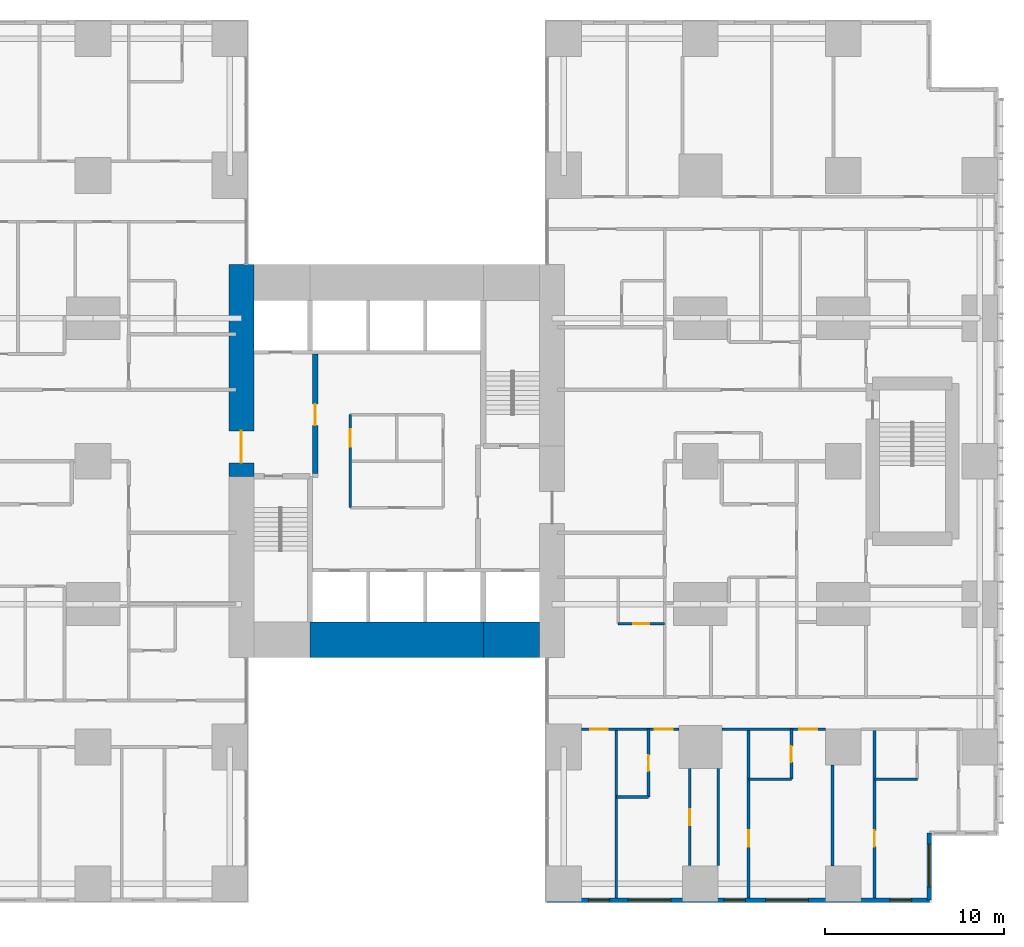
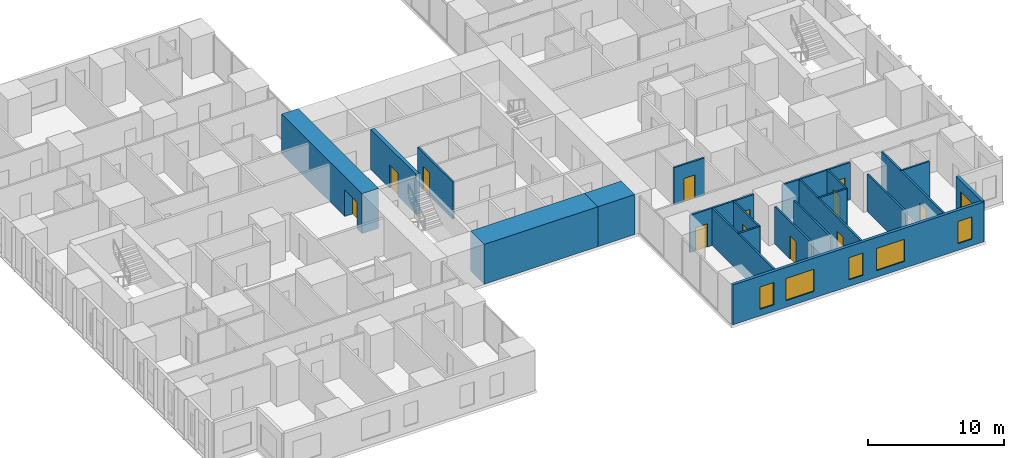
# One storey, part 14 of 20: 21 walls, 12 doors, 6 windows, 18 openings.
"""IFC4 building model written with IfcOpenShell, lengths in metres."""

from ifc_helpers import new_model, si_unit, direction, frame, frame_2d, origin, place, context, subcontext, project, spatial, rectangle, extrude, material, layer, layer_set, type_object, element, fill, save


model = new_model("IFC4")

# Units and contexts
model_context = context("Model", 3, precision=1e-05, world=origin(), true_north=direction((0.0, 1.0)))
body_context = subcontext(model_context, "Body", "Model", "MODEL_VIEW")
ifc_project = project(units=[si_unit("LENGTHUNIT", "METRE"), si_unit("AREAUNIT", "SQUARE_METRE"), si_unit("VOLUMEUNIT", "CUBIC_METRE"), si_unit("PLANEANGLEUNIT", "RADIAN"), si_unit("MASSUNIT", "GRAM", prefix="KILO")], contexts=[model_context])

# Site, building, storey
site_placement = place(None, origin())
site = spatial("IfcSite", under=ifc_project, at=site_placement, CompositionType="ELEMENT")
building_placement = place(site_placement, origin())
building = spatial("IfcBuilding", under=site, at=building_placement, Name="Cleftline Residences", CompositionType="ELEMENT")
storey_placement = place(building_placement, frame((0.0, 0.0, 47.60009765625)))
storey = spatial("IfcBuildingStorey", under=building, at=storey_placement, Name="L11", CompositionType="ELEMENT", Elevation=47.60009765625)

# Wall, opening, door
ifc_material_1 = material(Name="Concrete B70", Category="concrete")
ifc_layer_1 = layer(ifc_material_1, 1.39990234375)
ifc_layer_set_1 = layer_set([ifc_layer_1], Name="CORE WALL 1400")
wall_type_1 = type_object("IfcWallType", Name="CORE WALL 1400", PredefinedType="SHEAR", material=ifc_layer_set_1)
wall_1_placement = place(storey_placement, frame((24.300048828125, 23.14990234375, 0.0), z_axis=(0.0, 0.0, 1.0), x_axis=(0.0, 1.0, 0.0)))
wall_1 = element("IfcWall", 1, at=wall_1_placement, inside=storey, type_object=wall_type_1, Name="Core wall W", PredefinedType="SHEAR", context=body_context, shape_type="SweptSolid", body=[
    extrude(rectangle(XDim=11.85009765625, YDim=1.39990234375, at=frame_2d((5.925048828125, 0.0))), origin(), (0.0, 0.0, 1.0), 3.599853515625),
])
opening_1_placement = place(wall_1_placement, frame((0.75, 0.0, 0.0)))
opening_1 = element("IfcOpeningElement", 2, at=opening_1_placement, cuts=wall_1, Name="Opening D7", PredefinedType="OPENING", context=body_context, shape_type="SweptSolid", body=[
    extrude(rectangle(XDim=1.800048828125, YDim=2.39990234375, at=frame_2d((0.89990234375, 1.199951171875))), frame((0.0, 0.7099609375, 0.0), z_axis=(0.0, -1.0, 0.0), x_axis=(1.0, 0.0, 0.0)), (0.0, 0.0, 1.0), 1.419921875),
])
ifc_material_2 = material(Name="Steel", Category="steel")
door_type_1 = type_object("IfcDoorType", Name="WING DOOR 1800X2400", OperationType="DOUBLE_DOOR_DOUBLE_SWING", PredefinedType="DOOR", material=ifc_material_2)
door_1_placement = place(opening_1_placement, origin())
door_1 = element("IfcDoor", 3, at=door_1_placement, inside=storey, type_object=door_type_1, Name="West wing door", OperationType="DOUBLE_DOOR_DOUBLE_SWING", OverallHeight=2.39990234375, OverallWidth=1.800048828125, PredefinedType="DOOR", context=body_context, shape_type="SweptSolid", body=[
    extrude(rectangle(XDim=1.800048828125, YDim=2.39990234375, at=frame_2d((0.89990234375, 1.199951171875))), frame((0.0, 0.02490234375, 0.0), z_axis=(0.0, -1.0, 0.0), x_axis=(1.0, 0.0, 0.0)), (0.0, 0.0, 1.0), 0.050048828125),
])
fill(opening_1, door_1)

# Walls
ifc_material_3 = material(Name="Concrete B70", Category="concrete")
ifc_layer_2 = layer(ifc_material_3, 2.0)
ifc_layer_set_2 = layer_set([ifc_layer_2], Name="CORE WALL 2000")
wall_type_2 = type_object("IfcWallType", Name="CORE WALL 2000", PredefinedType="SHEAR", material=ifc_layer_set_2)
wall_2_placement = place(storey_placement, frame((28.14990234375, 14.0, 0.0), z_axis=(0.0, 0.0, 1.0), x_axis=(1.0, 0.0, 0.0)))
element("IfcWall", 4, at=wall_2_placement, inside=storey, type_object=wall_type_2, Name="Core wall S2", PredefinedType="SHEAR", context=body_context, shape_type="SweptSolid", body=[
    extrude(rectangle(XDim=9.7001953125, YDim=2.0, at=frame_2d((4.85009765625, 0.0))), origin(), (0.0, 0.0, 1.0), 3.599853515625),
])
wall_3_placement = place(storey_placement, frame((37.85009765625, 14.0, 0.0), z_axis=(0.0, 0.0, 1.0), x_axis=(1.0, 0.0, 0.0)))
element("IfcWall", 5, at=wall_3_placement, inside=storey, type_object=wall_type_2, Name="Core wall S3", PredefinedType="SHEAR", context=body_context, shape_type="SweptSolid", body=[
    extrude(rectangle(XDim=3.14990234375, YDim=2.0, at=frame_2d((1.574951171875, 0.0))), origin(), (0.0, 0.0, 1.0), 3.599853515625),
])

# Wall, openings, windows
ifc_material_4 = material(Name="Rendered reinforced concrete blockwork", Category="masonry")
ifc_layer_3 = layer(ifc_material_4, 0.25)
ifc_layer_set_3 = layer_set([ifc_layer_3], Name="EXTERNAL WALL 250")
wall_type_3 = type_object("IfcWallType", Name="EXTERNAL WALL 250", PredefinedType="SOLIDWALL", material=ifc_layer_set_3)
wall_4_placement = place(storey_placement, frame((41.425048828125, -0.574951171875, 0.0), z_axis=(0.0, 0.0, 1.0), x_axis=(1.0, 0.0, 0.0)))
wall_4 = element("IfcWall", 6, at=wall_4_placement, inside=storey, type_object=wall_type_3, Name="External wall", PredefinedType="SOLIDWALL", context=body_context, shape_type="SweptSolid", body=[
    extrude(rectangle(XDim=21.39990234375, YDim=0.25, at=frame_2d((10.699951171875, 0.0))), origin(), (0.0, 0.0, 1.0), 3.599853515625),
])
opening_2_placement = place(wall_4_placement, frame((2.300048828125, 0.0, 0.60009765625)))
opening_2 = element("IfcOpeningElement", 7, at=opening_2_placement, cuts=wall_4, Name="Opening W8", PredefinedType="OPENING", context=body_context, shape_type="SweptSolid", body=[
    extrude(rectangle(XDim=1.199951171875, YDim=2.0, at=frame_2d((0.60009765625, 1.0))), frame((0.0, 0.135009765625, 0.0), z_axis=(0.0, -1.0, 0.0), x_axis=(1.0, 0.0, 0.0)), (0.0, 0.0, 1.0), 0.27001953125),
])
opening_3_placement = place(wall_4_placement, frame((4.52490234375, 0.0, 0.60009765625)))
opening_3 = element("IfcOpeningElement", 8, at=opening_3_placement, cuts=wall_4, Name="Opening W6", PredefinedType="OPENING", context=body_context, shape_type="SweptSolid", body=[
    extrude(rectangle(XDim=2.39990234375, YDim=2.0, at=frame_2d((1.199951171875, 1.0))), frame((0.0, 0.135009765625, 0.0), z_axis=(0.0, -1.0, 0.0), x_axis=(1.0, 0.0, 0.0)), (0.0, 0.0, 1.0), 0.27001953125),
])
opening_4_placement = place(wall_4_placement, frame((9.89990234375, 0.0, 0.60009765625)))
opening_4 = element("IfcOpeningElement", 9, at=opening_4_placement, cuts=wall_4, Name="Opening W8", PredefinedType="OPENING", context=body_context, shape_type="SweptSolid", body=[
    extrude(rectangle(XDim=1.199951171875, YDim=2.0, at=frame_2d((0.60009765625, 1.0))), frame((0.0, 0.135009765625, 0.0), z_axis=(0.0, -1.0, 0.0), x_axis=(1.0, 0.0, 0.0)), (0.0, 0.0, 1.0), 0.27001953125),
])
opening_5_placement = place(wall_4_placement, frame((12.22509765625, 0.0, 0.60009765625)))
opening_5 = element("IfcOpeningElement", 10, at=opening_5_placement, cuts=wall_4, Name="Opening W6", PredefinedType="OPENING", context=body_context, shape_type="SweptSolid", body=[
    extrude(rectangle(XDim=2.39990234375, YDim=2.0, at=frame_2d((1.199951171875, 1.0))), frame((0.0, 0.135009765625, 0.0), z_axis=(0.0, -1.0, 0.0), x_axis=(1.0, 0.0, 0.0)), (0.0, 0.0, 1.0), 0.27001953125),
])
opening_6_placement = place(wall_4_placement, frame((19.199951171875, 0.0, 0.60009765625)))
opening_6 = element("IfcOpeningElement", 11, at=opening_6_placement, cuts=wall_4, Name="Opening W8", PredefinedType="OPENING", context=body_context, shape_type="SweptSolid", body=[
    extrude(rectangle(XDim=1.199951171875, YDim=2.0, at=frame_2d((0.60009765625, 1.0))), frame((0.0, 0.135009765625, 0.0), z_axis=(0.0, -1.0, 0.0), x_axis=(1.0, 0.0, 0.0)), (0.0, 0.0, 1.0), 0.27001953125),
])
ifc_material_5 = material(Name="Aluminium frame, clear double glazing", Category="aluminium")
window_type_1 = type_object("IfcWindowType", Name="WINDOW 1200X2000", PartitioningType="DOUBLE_PANEL_VERTICAL", PredefinedType="WINDOW", material=ifc_material_5)
window_1_placement = place(opening_2_placement, origin())
window_1 = element("IfcWindow", 12, at=window_1_placement, inside=storey, type_object=window_type_1, Name="Window", OverallHeight=2.0, OverallWidth=1.199951171875, PartitioningType="SINGLE_PANEL", PredefinedType="WINDOW", context=body_context, shape_type="SweptSolid", body=[
    extrude(rectangle(XDim=1.199951171875, YDim=2.0, at=frame_2d((0.60009765625, 1.0))), frame((0.0, 0.030029296875, 0.0), z_axis=(0.0, -1.0, 0.0), x_axis=(1.0, 0.0, 0.0)), (0.0, 0.0, 1.0), 0.06005859375),
])
fill(opening_2, window_1)
window_2_placement = place(opening_4_placement, origin())
window_2 = element("IfcWindow", 13, at=window_2_placement, inside=storey, type_object=window_type_1, Name="Window", OverallHeight=2.0, OverallWidth=1.199951171875, PartitioningType="SINGLE_PANEL", PredefinedType="WINDOW", context=body_context, shape_type="SweptSolid", body=[
    extrude(rectangle(XDim=1.199951171875, YDim=2.0, at=frame_2d((0.60009765625, 1.0))), frame((0.0, 0.030029296875, 0.0), z_axis=(0.0, -1.0, 0.0), x_axis=(1.0, 0.0, 0.0)), (0.0, 0.0, 1.0), 0.06005859375),
])
fill(opening_4, window_2)
window_3_placement = place(opening_6_placement, origin())
window_3 = element("IfcWindow", 14, at=window_3_placement, inside=storey, type_object=window_type_1, Name="Window", OverallHeight=2.0, OverallWidth=1.199951171875, PartitioningType="SINGLE_PANEL", PredefinedType="WINDOW", context=body_context, shape_type="SweptSolid", body=[
    extrude(rectangle(XDim=1.199951171875, YDim=2.0, at=frame_2d((0.60009765625, 1.0))), frame((0.0, 0.030029296875, 0.0), z_axis=(0.0, -1.0, 0.0), x_axis=(1.0, 0.0, 0.0)), (0.0, 0.0, 1.0), 0.06005859375),
])
fill(opening_6, window_3)
ifc_material_6 = material(Name="Aluminium frame, clear double glazing", Category="aluminium")
window_type_2 = type_object("IfcWindowType", Name="WINDOW 2400X2000", PartitioningType="DOUBLE_PANEL_VERTICAL", PredefinedType="WINDOW", material=ifc_material_6)
window_4_placement = place(opening_3_placement, origin())
window_4 = element("IfcWindow", 15, at=window_4_placement, inside=storey, type_object=window_type_2, Name="Window", OverallHeight=2.0, OverallWidth=2.39990234375, PartitioningType="SINGLE_PANEL", PredefinedType="WINDOW", context=body_context, shape_type="SweptSolid", body=[
    extrude(rectangle(XDim=2.39990234375, YDim=2.0, at=frame_2d((1.199951171875, 1.0))), frame((0.0, 0.030029296875, 0.0), z_axis=(0.0, -1.0, 0.0), x_axis=(1.0, 0.0, 0.0)), (0.0, 0.0, 1.0), 0.06005859375),
])
fill(opening_3, window_4)
window_5_placement = place(opening_5_placement, origin())
window_5 = element("IfcWindow", 16, at=window_5_placement, inside=storey, type_object=window_type_2, Name="Window", OverallHeight=2.0, OverallWidth=2.39990234375, PartitioningType="SINGLE_PANEL", PredefinedType="WINDOW", context=body_context, shape_type="SweptSolid", body=[
    extrude(rectangle(XDim=2.39990234375, YDim=2.0, at=frame_2d((1.199951171875, 1.0))), frame((0.0, 0.030029296875, 0.0), z_axis=(0.0, -1.0, 0.0), x_axis=(1.0, 0.0, 0.0)), (0.0, 0.0, 1.0), 0.06005859375),
])
fill(opening_5, window_5)

# Wall, opening, window
wall_5_placement = place(storey_placement, frame((62.824951171875, -0.574951171875, 0.0), z_axis=(0.0, 0.0, 1.0), x_axis=(0.0, 1.0, 0.0)))
wall_5 = element("IfcWall", 17, at=wall_5_placement, inside=storey, type_object=wall_type_3, Name="External wall", PredefinedType="SOLIDWALL", context=body_context, shape_type="SweptSolid", body=[
    extrude(rectangle(XDim=3.75, YDim=0.25, at=frame_2d((1.875, 0.0))), origin(), (0.0, 0.0, 1.0), 3.599853515625),
])
opening_7_placement = place(wall_5_placement, frame((0.737548828125, 0.0, 0.60009765625)))
opening_7 = element("IfcOpeningElement", 18, at=opening_7_placement, cuts=wall_5, Name="Opening W6", PredefinedType="OPENING", context=body_context, shape_type="SweptSolid", body=[
    extrude(rectangle(XDim=2.39990234375, YDim=2.0, at=frame_2d((1.199951171875, 1.0))), frame((0.0, 0.135009765625, 0.0), z_axis=(0.0, -1.0, 0.0), x_axis=(1.0, 0.0, 0.0)), (0.0, 0.0, 1.0), 0.27001953125),
])
window_6_placement = place(opening_7_placement, origin())
window_6 = element("IfcWindow", 19, at=window_6_placement, inside=storey, type_object=window_type_2, Name="Window", OverallHeight=2.0, OverallWidth=2.39990234375, PartitioningType="SINGLE_PANEL", PredefinedType="WINDOW", context=body_context, shape_type="SweptSolid", body=[
    extrude(rectangle(XDim=2.39990234375, YDim=2.0, at=frame_2d((1.199951171875, 1.0))), frame((0.0, 0.030029296875, 0.0), z_axis=(0.0, -1.0, 0.0), x_axis=(1.0, 0.0, 0.0)), (0.0, 0.0, 1.0), 0.06005859375),
])
fill(opening_7, window_6)

# Walls
ifc_material_7 = material(Name="Gypsum board on steel studs", Category="steel")
ifc_layer_4 = layer(ifc_material_7, 0.14990234375)
ifc_layer_set_4 = layer_set([ifc_layer_4], Name="PARTITION 150")
wall_type_4 = type_object("IfcWallType", Name="PARTITION 150", PredefinedType="PARTITIONING", material=ifc_layer_set_4)
wall_6_placement = place(storey_placement, frame((45.300048828125, 5.199951171875, 0.0), z_axis=(0.0, 0.0, 1.0), x_axis=(1.0, 0.0, 0.0)))
element("IfcWall", 20, at=wall_6_placement, inside=storey, type_object=wall_type_4, Name="Partition", PredefinedType="PARTITIONING", context=body_context, shape_type="SweptSolid", body=[
    extrude(rectangle(XDim=1.800048828125, YDim=0.14990234375, at=frame_2d((0.89990234375, 0.0))), origin(), (0.0, 0.0, 1.0), 3.349853515625),
])
wall_7_placement = place(storey_placement, frame((52.699951171875, 6.199951171875, 0.0), z_axis=(0.0, 0.0, 1.0), x_axis=(1.0, 0.0, 0.0)))
element("IfcWall", 21, at=wall_7_placement, inside=storey, type_object=wall_type_4, Name="Partition", PredefinedType="PARTITIONING", context=body_context, shape_type="SweptSolid", body=[
    extrude(rectangle(XDim=2.400146484375, YDim=0.14990234375, at=frame_2d((1.2001953125, 0.0))), origin(), (0.0, 0.0, 1.0), 3.349853515625),
])
wall_8_placement = place(storey_placement, frame((59.75, 6.199951171875, 0.0), z_axis=(0.0, 0.0, 1.0), x_axis=(1.0, 0.0, 0.0)))
element("IfcWall", 22, at=wall_8_placement, inside=storey, type_object=wall_type_4, Name="Partition", PredefinedType="PARTITIONING", context=body_context, shape_type="SweptSolid", body=[
    extrude(rectangle(XDim=2.39990234375, YDim=0.14990234375, at=frame_2d((1.199951171875, 0.0))), origin(), (0.0, 0.0, 1.0), 3.349853515625),
])

# Wall, openings, doors
wall_9_placement = place(storey_placement, frame((43.35009765625, 9.0, 0.0), z_axis=(0.0, 0.0, 1.0), x_axis=(1.0, 0.0, 0.0)))
wall_9 = element("IfcWall", 23, at=wall_9_placement, inside=storey, type_object=wall_type_4, Name="Partition", PredefinedType="PARTITIONING", context=body_context, shape_type="SweptSolid", body=[
    extrude(rectangle(XDim=5.449951171875, YDim=0.14990234375, at=frame_2d((2.72509765625, 0.0))), origin(), (0.0, 0.0, 1.0), 3.349853515625),
])
opening_8_placement = place(wall_9_placement, frame((4.10009765625, 0.0, 0.0)))
opening_8 = element("IfcOpeningElement", 24, at=opening_8_placement, cuts=wall_9, Name="Opening D2", PredefinedType="OPENING", context=body_context, shape_type="SweptSolid", body=[
    extrude(rectangle(XDim=1.0, YDim=2.10009765625, at=frame_2d((0.5, 1.050048828125))), frame((0.0, 0.0849609375, 0.0), z_axis=(0.0, -1.0, 0.0), x_axis=(1.0, 0.0, 0.0)), (0.0, 0.0, 1.0), 0.169921875),
])
opening_9_placement = place(wall_9_placement, frame((0.47509765625, 0.0, 0.0)))
opening_9 = element("IfcOpeningElement", 25, at=opening_9_placement, cuts=wall_9, Name="Opening D2", PredefinedType="OPENING", context=body_context, shape_type="SweptSolid", body=[
    extrude(rectangle(XDim=1.0, YDim=2.10009765625, at=frame_2d((0.5, 1.050048828125))), frame((0.0, 0.0849609375, 0.0), z_axis=(0.0, -1.0, 0.0), x_axis=(1.0, 0.0, 0.0)), (0.0, 0.0, 1.0), 0.169921875),
])
ifc_material_8 = material(Name="Timber veneer on solid core", Category="wood")
door_type_2 = type_object("IfcDoorType", Name="DOOR 1000X2100", OperationType="SINGLE_SWING_LEFT", PredefinedType="DOOR", material=ifc_material_8)
door_2_placement = place(opening_8_placement, origin())
door_2 = element("IfcDoor", 26, at=door_2_placement, inside=storey, type_object=door_type_2, Name="Door to bedroom 4", OperationType="SINGLE_SWING_LEFT", OverallHeight=2.10009765625, OverallWidth=1.0, PredefinedType="DOOR", context=body_context, shape_type="SweptSolid", body=[
    extrude(rectangle(XDim=1.0, YDim=2.10009765625, at=frame_2d((0.5, 1.050048828125))), frame((0.0, 0.02490234375, 0.0), z_axis=(0.0, -1.0, 0.0), x_axis=(1.0, 0.0, 0.0)), (0.0, 0.0, 1.0), 0.050048828125),
])
fill(opening_8, door_2)
door_3_placement = place(opening_9_placement, origin())
door_3 = element("IfcDoor", 27, at=door_3_placement, inside=storey, type_object=door_type_2, Name="Door to family room", OperationType="SINGLE_SWING_RIGHT", OverallHeight=2.10009765625, OverallWidth=1.0, PredefinedType="DOOR", context=body_context, shape_type="SweptSolid", body=[
    extrude(rectangle(XDim=1.0, YDim=2.10009765625, at=frame_2d((0.5, 1.050048828125))), frame((0.0, 0.02490234375, 0.0), z_axis=(0.0, -1.0, 0.0), x_axis=(1.0, 0.0, 0.0)), (0.0, 0.0, 1.0), 0.050048828125),
])
fill(opening_9, door_3)

# Wall, opening, door
wall_10_placement = place(storey_placement, frame((51.199951171875, 9.0, 0.0), z_axis=(0.0, 0.0, 1.0), x_axis=(1.0, 0.0, 0.0)))
wall_10 = element("IfcWall", 28, at=wall_10_placement, inside=storey, type_object=wall_type_4, Name="Partition", PredefinedType="PARTITIONING", context=body_context, shape_type="SweptSolid", body=[
    extrude(rectangle(XDim=5.800048828125, YDim=0.14990234375, at=frame_2d((2.89990234375, 0.0))), origin(), (0.0, 0.0, 1.0), 3.349853515625),
])
opening_10_placement = place(wall_10_placement, frame((4.35009765625, 0.0, 0.0)))
opening_10 = element("IfcOpeningElement", 29, at=opening_10_placement, cuts=wall_10, Name="Opening D2", PredefinedType="OPENING", context=body_context, shape_type="SweptSolid", body=[
    extrude(rectangle(XDim=1.0, YDim=2.10009765625, at=frame_2d((0.5, 1.050048828125))), frame((0.0, 0.0849609375, 0.0), z_axis=(0.0, -1.0, 0.0), x_axis=(1.0, 0.0, 0.0)), (0.0, 0.0, 1.0), 0.169921875),
])
door_4_placement = place(opening_10_placement, origin())
door_4 = element("IfcDoor", 30, at=door_4_placement, inside=storey, type_object=door_type_2, Name="Door to bedroom 3", OperationType="SINGLE_SWING_LEFT", OverallHeight=2.10009765625, OverallWidth=1.0, PredefinedType="DOOR", context=body_context, shape_type="SweptSolid", body=[
    extrude(rectangle(XDim=1.0, YDim=2.10009765625, at=frame_2d((0.5, 1.050048828125))), frame((0.0, 0.02490234375, 0.0), z_axis=(0.0, -1.0, 0.0), x_axis=(1.0, 0.0, 0.0)), (0.0, 0.0, 1.0), 0.050048828125),
])
fill(opening_10, door_4)

wall_11_placement = place(storey_placement, frame((45.39990234375, 14.89990234375, 0.0), z_axis=(0.0, 0.0, 1.0), x_axis=(1.0, 0.0, 0.0)))
wall_11 = element("IfcWall", 31, at=wall_11_placement, inside=storey, type_object=wall_type_4, Name="Partition", PredefinedType="PARTITIONING", context=body_context, shape_type="SweptSolid", body=[
    extrude(rectangle(XDim=2.60009765625, YDim=0.14990234375, at=frame_2d((1.300048828125, 0.0))), origin(), (0.0, 0.0, 1.0), 3.349853515625),
])
opening_11_placement = place(wall_11_placement, frame((0.85009765625, 0.0, 0.0)))
opening_11 = element("IfcOpeningElement", 32, at=opening_11_placement, cuts=wall_11, Name="Opening D1", PredefinedType="OPENING", context=body_context, shape_type="SweptSolid", body=[
    extrude(rectangle(XDim=0.89990234375, YDim=2.10009765625, at=frame_2d((0.449951171875, 1.050048828125))), frame((0.0, 0.0849609375, 0.0), z_axis=(0.0, -1.0, 0.0), x_axis=(1.0, 0.0, 0.0)), (0.0, 0.0, 1.0), 0.169921875),
])
ifc_material_9 = material(Name="Timber veneer on solid core", Category="wood")
door_type_3 = type_object("IfcDoorType", Name="DOOR 900X2100", OperationType="SINGLE_SWING_LEFT", PredefinedType="DOOR", material=ifc_material_9)
door_5_placement = place(opening_11_placement, origin())
door_5 = element("IfcDoor", 33, at=door_5_placement, inside=storey, type_object=door_type_3, Name="Door to master bathroom", OperationType="SINGLE_SWING_LEFT", OverallHeight=2.10009765625, OverallWidth=0.89990234375, PredefinedType="DOOR", context=body_context, shape_type="SweptSolid", body=[
    extrude(rectangle(XDim=0.89990234375, YDim=2.10009765625, at=frame_2d((0.449951171875, 1.050048828125))), frame((0.0, 0.02490234375, 0.0), z_axis=(0.0, -1.0, 0.0), x_axis=(1.0, 0.0, 0.0)), (0.0, 0.0, 1.0), 0.050048828125),
])
fill(opening_11, door_5)

# Wall
wall_12_placement = place(storey_placement, frame((45.300048828125, -0.449951171875, 0.0), z_axis=(0.0, 0.0, 1.0), x_axis=(0.0, 1.0, 0.0)))
element("IfcWall", 34, at=wall_12_placement, inside=storey, type_object=wall_type_4, Name="Partition", PredefinedType="PARTITIONING", context=body_context, shape_type="SweptSolid", body=[
    extrude(rectangle(XDim=9.449951171875, YDim=0.14990234375, at=frame_2d((4.72509765625, 0.0))), origin(), (0.0, 0.0, 1.0), 3.349853515625),
])

# Wall, opening, door
wall_13_placement = place(storey_placement, frame((47.10009765625, 5.199951171875, 0.0), z_axis=(0.0, 0.0, 1.0), x_axis=(0.0, 1.0, 0.0)))
wall_13 = element("IfcWall", 35, at=wall_13_placement, inside=storey, type_object=wall_type_4, Name="Partition", PredefinedType="PARTITIONING", context=body_context, shape_type="SweptSolid", body=[
    extrude(rectangle(XDim=3.800048828125, YDim=0.14990234375, at=frame_2d((1.89990234375, 0.0))), origin(), (0.0, 0.0, 1.0), 3.349853515625),
])
opening_12_placement = place(wall_13_placement, frame((1.449951171875, 0.0, 0.0)))
opening_12 = element("IfcOpeningElement", 36, at=opening_12_placement, cuts=wall_13, Name="Opening D1", PredefinedType="OPENING", context=body_context, shape_type="SweptSolid", body=[
    extrude(rectangle(XDim=0.89990234375, YDim=2.10009765625, at=frame_2d((0.449951171875, 1.050048828125))), frame((0.0, 0.0849609375, 0.0), z_axis=(0.0, -1.0, 0.0), x_axis=(1.0, 0.0, 0.0)), (0.0, 0.0, 1.0), 0.169921875),
])
door_6_placement = place(opening_12_placement, origin())
door_6 = element("IfcDoor", 37, at=door_6_placement, inside=storey, type_object=door_type_3, Name="Door to en-suite bathroom 4", OperationType="SINGLE_SWING_LEFT", OverallHeight=2.10009765625, OverallWidth=0.89990234375, PredefinedType="DOOR", context=body_context, shape_type="SweptSolid", body=[
    extrude(rectangle(XDim=0.89990234375, YDim=2.10009765625, at=frame_2d((0.449951171875, 1.050048828125))), frame((0.0, 0.02490234375, 0.0), z_axis=(0.0, -1.0, 0.0), x_axis=(1.0, 0.0, 0.0)), (0.0, 0.0, 1.0), 0.050048828125),
])
fill(opening_12, door_6)

wall_14_placement = place(storey_placement, frame((49.39990234375, 1.35009765625, 0.0), z_axis=(0.0, 0.0, 1.0), x_axis=(0.0, 1.0, 0.0)))
wall_14 = element("IfcWall", 38, at=wall_14_placement, inside=storey, type_object=wall_type_4, Name="Partition", PredefinedType="PARTITIONING", context=body_context, shape_type="SweptSolid", body=[
    extrude(rectangle(XDim=5.449951171875, YDim=0.14990234375, at=frame_2d((2.72509765625, 0.0))), origin(), (0.0, 0.0, 1.0), 3.349853515625),
])
opening_13_placement = place(wall_14_placement, frame((2.27490234375, 0.0, 0.0)))
opening_13 = element("IfcOpeningElement", 39, at=opening_13_placement, cuts=wall_14, Name="Opening D1", PredefinedType="OPENING", context=body_context, shape_type="SweptSolid", body=[
    extrude(rectangle(XDim=0.89990234375, YDim=2.10009765625, at=frame_2d((0.449951171875, 1.050048828125))), frame((0.0, 0.0849609375, 0.0), z_axis=(0.0, -1.0, 0.0), x_axis=(1.0, 0.0, 0.0)), (0.0, 0.0, 1.0), 0.169921875),
])
door_7_placement = place(opening_13_placement, origin())
door_7 = element("IfcDoor", 40, at=door_7_placement, inside=storey, type_object=door_type_3, Name="Door to walk-in wardrobe", OperationType="SINGLE_SWING_LEFT", OverallHeight=2.10009765625, OverallWidth=0.89990234375, PredefinedType="DOOR", context=body_context, shape_type="SweptSolid", body=[
    extrude(rectangle(XDim=0.89990234375, YDim=2.10009765625, at=frame_2d((0.449951171875, 1.050048828125))), frame((0.0, 0.02490234375, 0.0), z_axis=(0.0, -1.0, 0.0), x_axis=(1.0, 0.0, 0.0)), (0.0, 0.0, 1.0), 0.050048828125),
])
fill(opening_13, door_7)

# Wall
wall_15_placement = place(storey_placement, frame((51.0, 1.35009765625, 0.0), z_axis=(0.0, 0.0, 1.0), x_axis=(0.0, 1.0, 0.0)))
element("IfcWall", 41, at=wall_15_placement, inside=storey, type_object=wall_type_4, Name="Partition", PredefinedType="PARTITIONING", context=body_context, shape_type="SweptSolid", body=[
    extrude(rectangle(XDim=5.449951171875, YDim=0.14990234375, at=frame_2d((2.72509765625, 0.0))), origin(), (0.0, 0.0, 1.0), 3.349853515625),
])

# Wall, opening, door
wall_16_placement = place(storey_placement, frame((52.699951171875, -0.449951171875, 0.0), z_axis=(0.0, 0.0, 1.0), x_axis=(0.0, 1.0, 0.0)))
wall_16 = element("IfcWall", 42, at=wall_16_placement, inside=storey, type_object=wall_type_4, Name="Partition", PredefinedType="PARTITIONING", context=body_context, shape_type="SweptSolid", body=[
    extrude(rectangle(XDim=9.449951171875, YDim=0.14990234375, at=frame_2d((4.72509765625, 0.0))), origin(), (0.0, 0.0, 1.0), 3.349853515625),
])
opening_14_placement = place(wall_16_placement, frame((2.875, 0.0, 0.0)))
opening_14 = element("IfcOpeningElement", 43, at=opening_14_placement, cuts=wall_16, Name="Opening D1", PredefinedType="OPENING", context=body_context, shape_type="SweptSolid", body=[
    extrude(rectangle(XDim=0.89990234375, YDim=2.10009765625, at=frame_2d((0.449951171875, 1.050048828125))), frame((0.0, 0.0849609375, 0.0), z_axis=(0.0, -1.0, 0.0), x_axis=(1.0, 0.0, 0.0)), (0.0, 0.0, 1.0), 0.169921875),
])
door_8_placement = place(opening_14_placement, origin())
door_8 = element("IfcDoor", 44, at=door_8_placement, inside=storey, type_object=door_type_3, Name="Door to walk-in wardrobe", OperationType="SINGLE_SWING_RIGHT", OverallHeight=2.10009765625, OverallWidth=0.89990234375, PredefinedType="DOOR", context=body_context, shape_type="SweptSolid", body=[
    extrude(rectangle(XDim=0.89990234375, YDim=2.10009765625, at=frame_2d((0.449951171875, 1.050048828125))), frame((0.0, 0.02490234375, 0.0), z_axis=(0.0, -1.0, 0.0), x_axis=(1.0, 0.0, 0.0)), (0.0, 0.0, 1.0), 0.050048828125),
])
fill(opening_14, door_8)

wall_17_placement = place(storey_placement, frame((55.10009765625, 6.199951171875, 0.0), z_axis=(0.0, 0.0, 1.0), x_axis=(0.0, 1.0, 0.0)))
wall_17 = element("IfcWall", 45, at=wall_17_placement, inside=storey, type_object=wall_type_4, Name="Partition", PredefinedType="PARTITIONING", context=body_context, shape_type="SweptSolid", body=[
    extrude(rectangle(XDim=2.800048828125, YDim=0.14990234375, at=frame_2d((1.39990234375, 0.0))), origin(), (0.0, 0.0, 1.0), 3.349853515625),
])
opening_15_placement = place(wall_17_placement, frame((0.949951171875, 0.0, 0.0)))
opening_15 = element("IfcOpeningElement", 46, at=opening_15_placement, cuts=wall_17, Name="Opening D1", PredefinedType="OPENING", context=body_context, shape_type="SweptSolid", body=[
    extrude(rectangle(XDim=0.89990234375, YDim=2.10009765625, at=frame_2d((0.449951171875, 1.050048828125))), frame((0.0, 0.0849609375, 0.0), z_axis=(0.0, -1.0, 0.0), x_axis=(1.0, 0.0, 0.0)), (0.0, 0.0, 1.0), 0.169921875),
])
door_9_placement = place(opening_15_placement, origin())
door_9 = element("IfcDoor", 47, at=door_9_placement, inside=storey, type_object=door_type_3, Name="Door to en-suite bathroom 3", OperationType="SINGLE_SWING_LEFT", OverallHeight=2.10009765625, OverallWidth=0.89990234375, PredefinedType="DOOR", context=body_context, shape_type="SweptSolid", body=[
    extrude(rectangle(XDim=0.89990234375, YDim=2.10009765625, at=frame_2d((0.449951171875, 1.050048828125))), frame((0.0, 0.02490234375, 0.0), z_axis=(0.0, -1.0, 0.0), x_axis=(1.0, 0.0, 0.0)), (0.0, 0.0, 1.0), 0.050048828125),
])
fill(opening_15, door_9)

# Wall
wall_18_placement = place(storey_placement, frame((57.39990234375, 1.35009765625, 0.0), z_axis=(0.0, 0.0, 1.0), x_axis=(0.0, 1.0, 0.0)))
element("IfcWall", 48, at=wall_18_placement, inside=storey, type_object=wall_type_4, Name="Partition", PredefinedType="PARTITIONING", context=body_context, shape_type="SweptSolid", body=[
    extrude(rectangle(XDim=5.64990234375, YDim=0.14990234375, at=frame_2d((2.824951171875, 0.0))), origin(), (0.0, 0.0, 1.0), 3.349853515625),
])

# Wall, opening, door
wall_19_placement = place(storey_placement, frame((59.75, -0.449951171875, 0.0), z_axis=(0.0, 0.0, 1.0), x_axis=(0.0, 1.0, 0.0)))
wall_19 = element("IfcWall", 49, at=wall_19_placement, inside=storey, type_object=wall_type_4, Name="Partition", PredefinedType="PARTITIONING", context=body_context, shape_type="SweptSolid", body=[
    extrude(rectangle(XDim=9.449951171875, YDim=0.14990234375, at=frame_2d((4.72509765625, 0.0))), origin(), (0.0, 0.0, 1.0), 3.349853515625),
])
opening_16_placement = place(wall_19_placement, frame((2.875, 0.0, 0.0)))
opening_16 = element("IfcOpeningElement", 50, at=opening_16_placement, cuts=wall_19, Name="Opening D1", PredefinedType="OPENING", context=body_context, shape_type="SweptSolid", body=[
    extrude(rectangle(XDim=0.89990234375, YDim=2.10009765625, at=frame_2d((0.449951171875, 1.050048828125))), frame((0.0, 0.0849609375, 0.0), z_axis=(0.0, -1.0, 0.0), x_axis=(1.0, 0.0, 0.0)), (0.0, 0.0, 1.0), 0.169921875),
])
door_10_placement = place(opening_16_placement, origin())
door_10 = element("IfcDoor", 51, at=door_10_placement, inside=storey, type_object=door_type_3, Name="Door to walk-in wardrobe", OperationType="SINGLE_SWING_RIGHT", OverallHeight=2.10009765625, OverallWidth=0.89990234375, PredefinedType="DOOR", context=body_context, shape_type="SweptSolid", body=[
    extrude(rectangle(XDim=0.89990234375, YDim=2.10009765625, at=frame_2d((0.449951171875, 1.050048828125))), frame((0.0, 0.02490234375, 0.0), z_axis=(0.0, -1.0, 0.0), x_axis=(1.0, 0.0, 0.0)), (0.0, 0.0, 1.0), 0.050048828125),
])
fill(opening_16, door_10)

ifc_material_10 = material(Name="Fire-resisting gypsum board on steel studs", Category="steel")
ifc_layer_5 = layer(ifc_material_10, 0.14990234375)
ifc_layer_set_5 = layer_set([ifc_layer_5], Name="PARTITION 150 EI 60")
wall_type_5 = type_object("IfcWallType", Name="PARTITION 150 EI 60", PredefinedType="PARTITIONING", material=ifc_layer_set_5)
wall_20_placement = place(storey_placement, frame((30.39990234375, 21.39990234375, 0.0), z_axis=(0.0, 0.0, 1.0), x_axis=(0.0, 1.0, 0.0)))
wall_20 = element("IfcWall", 52, at=wall_20_placement, inside=storey, type_object=wall_type_5, Name="Core room partition", PredefinedType="PARTITIONING", context=body_context, shape_type="SweptSolid", body=[
    extrude(rectangle(XDim=5.2001953125, YDim=0.14990234375, at=frame_2d((2.60009765625, 0.0))), origin(), (0.0, 0.0, 1.0), 3.349853515625),
])
opening_17_placement = place(wall_20_placement, frame((3.39990234375, 0.0, 0.0)))
opening_17 = element("IfcOpeningElement", 53, at=opening_17_placement, cuts=wall_20, Name="Opening D2F60", PredefinedType="OPENING", context=body_context, shape_type="SweptSolid", body=[
    extrude(rectangle(XDim=1.0, YDim=2.10009765625, at=frame_2d((0.5, 1.050048828125))), frame((0.0, 0.0849609375, 0.0), z_axis=(0.0, -1.0, 0.0), x_axis=(1.0, 0.0, 0.0)), (0.0, 0.0, 1.0), 0.169921875),
])
ifc_material_11 = material(Name="Timber veneer on solid core", Category="wood")
door_type_4 = type_object("IfcDoorType", Name="DOOR 1000X2100 EI 60", OperationType="SINGLE_SWING_LEFT", PredefinedType="DOOR", material=ifc_material_11)
door_11_placement = place(opening_17_placement, origin())
door_11 = element("IfcDoor", 54, at=door_11_placement, inside=storey, type_object=door_type_4, Name="Door to electrical room", OperationType="SINGLE_SWING_LEFT", OverallHeight=2.10009765625, OverallWidth=1.0, PredefinedType="DOOR", context=body_context, shape_type="SweptSolid", body=[
    extrude(rectangle(XDim=1.0, YDim=2.10009765625, at=frame_2d((0.5, 1.050048828125))), frame((0.0, 0.02490234375, 0.0), z_axis=(0.0, -1.0, 0.0), x_axis=(1.0, 0.0, 0.0)), (0.0, 0.0, 1.0), 0.050048828125),
])
fill(opening_17, door_11)

ifc_material_12 = material(Name="Concrete blockwork, fire rated", Category="masonry")
ifc_layer_6 = layer(ifc_material_12, 0.300048828125)
ifc_layer_set_6 = layer_set([ifc_layer_6], Name="STAIR LOBBY WALL 300")
wall_type_6 = type_object("IfcWallType", Name="STAIR LOBBY WALL 300", PredefinedType="PARTITIONING", material=ifc_layer_set_6)
wall_21_placement = place(storey_placement, frame((28.449951171875, 23.300048828125, 0.0), z_axis=(0.0, 0.0, 1.0), x_axis=(0.0, 1.0, 0.0)))
wall_21 = element("IfcWall", 55, at=wall_21_placement, inside=storey, type_object=wall_type_6, Name="Stair and lobby wall FA-E", PredefinedType="PARTITIONING", context=body_context, shape_type="SweptSolid", body=[
    extrude(rectangle(XDim=6.699951171875, YDim=0.300048828125, at=frame_2d((3.35009765625, 0.0))), origin(), (0.0, 0.0, 1.0), 3.599853515625),
])
opening_18_placement = place(wall_21_placement, frame((2.699951171875, 0.0, 0.0)))
opening_18 = element("IfcOpeningElement", 56, at=opening_18_placement, cuts=wall_21, Name="Opening D6", PredefinedType="OPENING", context=body_context, shape_type="SweptSolid", body=[
    extrude(rectangle(XDim=1.199951171875, YDim=2.10009765625, at=frame_2d((0.60009765625, 1.050048828125))), frame((0.0, 0.159912109375, 0.0), z_axis=(0.0, -1.0, 0.0), x_axis=(1.0, 0.0, 0.0)), (0.0, 0.0, 1.0), 0.320068359375),
])
ifc_material_13 = material(Name="Steel", Category="steel")
door_type_5 = type_object("IfcDoorType", Name="LOBBY DOOR 1200X2100", OperationType="SINGLE_SWING_RIGHT", PredefinedType="DOOR", material=ifc_material_13)
door_12_placement = place(opening_18_placement, origin())
door_12 = element("IfcDoor", 57, at=door_12_placement, inside=storey, type_object=door_type_5, Name="Firefighting lobby A door", OperationType="SINGLE_SWING_RIGHT", OverallHeight=2.10009765625, OverallWidth=1.199951171875, PredefinedType="DOOR", context=body_context, shape_type="SweptSolid", body=[
    extrude(rectangle(XDim=1.199951171875, YDim=2.10009765625, at=frame_2d((0.60009765625, 1.050048828125))), frame((0.0, 0.02490234375, 0.0), z_axis=(0.0, -1.0, 0.0), x_axis=(1.0, 0.0, 0.0)), (0.0, 0.0, 1.0), 0.050048828125),
])
fill(opening_18, door_12)

save(model, "model.ifc")
